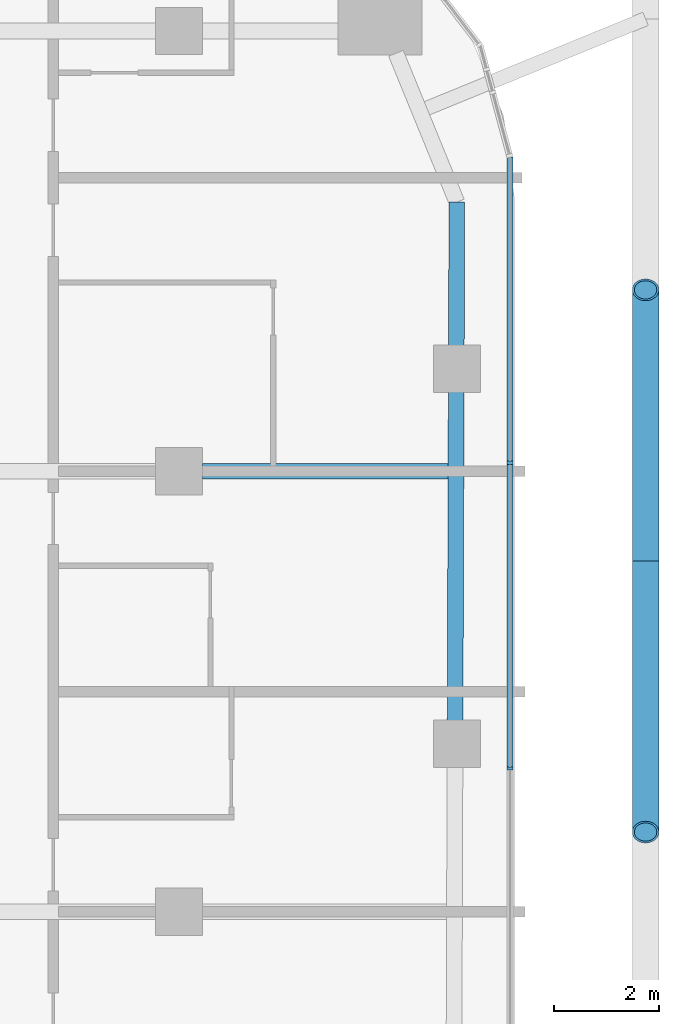
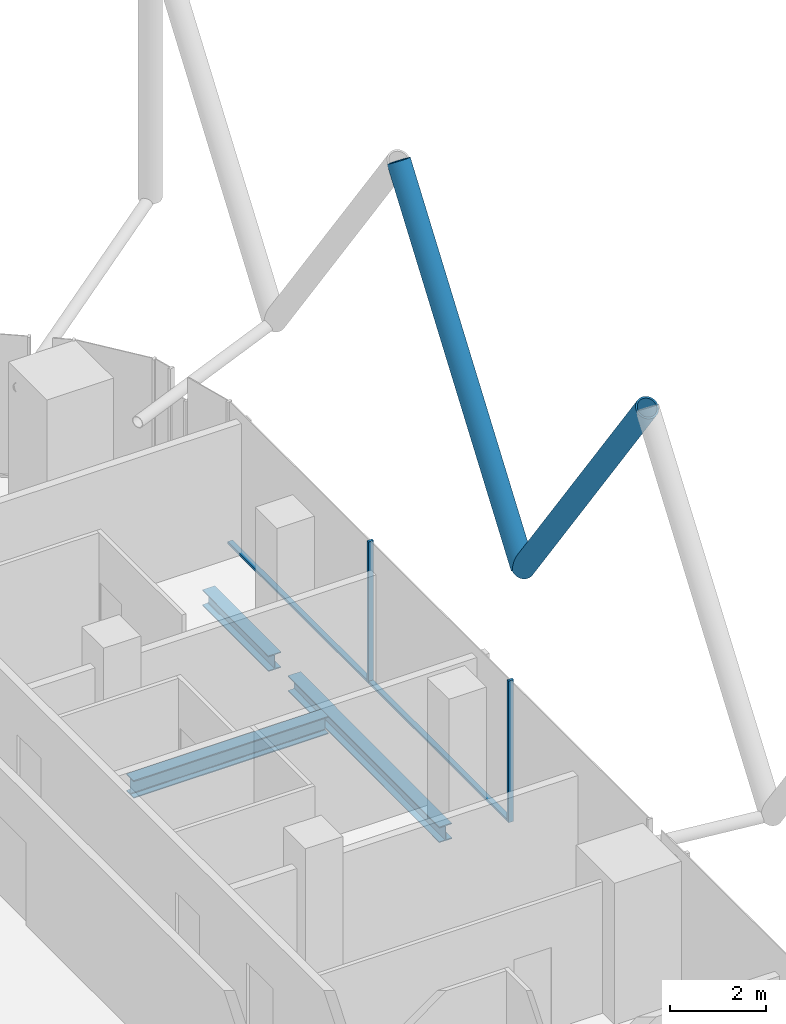
# One storey, part 13 of 36: 6 members, 3 beams, 1 element without a shape of its own.
"""IFC4 building model written with IfcOpenShell, lengths in metres."""

import ifcopenshell
import ifcopenshell.guid

model = None  # the IFC model being written
_history = None  # IfcOwnerHistory: only IFC2X3 demands one
_inside = {}  # id of a spatial element -> (the spatial element, [elements in it])
_under = {}  # id of a project, library or spatial element -> (it, [spatial elements below it])
_declared = {}  # id of a project -> (the project, [libraries it declares])
_typed = {}  # id of a type object -> (the type object, [elements of that type])
_made_of = {}  # id of a material, layer set ... -> (it, [elements and type objects made of it])


def new_model(schema):
    """Start an empty IFC model of exactly this schema.

    Asked for "IFC4X3", IfcOpenShell would pick the latest addendum, in which some entities
    have other attributes; the version numbers below select the first issue.
    IFC2X3 requires an IfcOwnerHistory on every rooted entity: one is made here for all.
    """
    global model, _history
    if schema == "IFC4X3":
        model = ifcopenshell.file(schema_version=(4, 3, 0, 0))
    else:
        model = ifcopenshell.file(schema=schema)
    _inside.clear()
    _under.clear()
    _declared.clear()
    _typed.clear()
    _made_of.clear()
    _history = None
    if model.schema == "IFC2X3":
        org = make("IfcOrganization", Name="unknown")
        user = make(
            "IfcPersonAndOrganization",
            ThePerson=make("IfcPerson", FamilyName="unknown"),
            TheOrganization=org,
        )
        app = make(
            "IfcApplication",
            ApplicationDeveloper=org,
            Version="unknown",
            ApplicationFullName="unknown",
            ApplicationIdentifier="unknown",
        )
        _history = make(
            "IfcOwnerHistory",
            OwningUser=user,
            OwningApplication=app,
            ChangeAction="ADDED",
            CreationDate=0,
        )
    return model


def make(cls, **values):
    """One entity of the class cls with the attributes given. An attribute that is None is left unset."""
    return model.create_entity(
        cls, **{name: value for name, value in values.items() if value is not None}
    )


def rooted(cls, **values):
    """An entity with a GlobalId (a new one), such as an element, a storey or a relation."""
    return make(cls, GlobalId=ifcopenshell.guid.new(), OwnerHistory=_history, **values)


def si_unit(unit_type, name, prefix=None):
    """IfcSIUnit, for example si_unit("LENGTHUNIT", "METRE", prefix="MILLI")."""
    return make("IfcSIUnit", UnitType=unit_type, Prefix=prefix, Name=name)


def assignment(units):
    """IfcUnitAssignment: the units of a project."""
    return None if units is None else make("IfcUnitAssignment", Units=units)


def point(xyz):
    """IfcCartesianPoint."""
    return None if xyz is None else make("IfcCartesianPoint", Coordinates=xyz)


def direction(xyz):
    """IfcDirection."""
    return None if xyz is None else make("IfcDirection", DirectionRatios=xyz)


def frame(location, z_axis=None, x_axis=None):
    """IfcAxis2Placement3D, a coordinate frame: its origin and axes. An axis left out is left unset."""
    return make(
        "IfcAxis2Placement3D",
        Location=point(location),
        Axis=direction(z_axis),
        RefDirection=direction(x_axis),
    )


def frame_2d(location, x_axis=None):
    """IfcAxis2Placement2D, a coordinate frame in the plane: its origin and x axis."""
    return make(
        "IfcAxis2Placement2D", Location=point(location), RefDirection=direction(x_axis)
    )


def origin():
    """The frame at (0, 0, 0) with its axes left unset."""
    return frame((0.0, 0.0, 0.0))


def origin_2d():
    """The frame at (0, 0) in the plane with its x axis left unset."""
    return frame_2d((0.0, 0.0))


def place(relative_to, where):
    """IfcLocalPlacement: puts the frame where relative to a parent placement (None: the world)."""
    return make(
        "IfcLocalPlacement", PlacementRelTo=relative_to, RelativePlacement=where
    )


def context(
    kind, dimensions, precision=None, world=None, true_north=None, identifier=None
):
    """IfcGeometricRepresentationContext, for example the 3D "Model" context."""
    return make(
        "IfcGeometricRepresentationContext",
        ContextIdentifier=identifier,
        ContextType=kind,
        CoordinateSpaceDimension=dimensions,
        Precision=precision,
        WorldCoordinateSystem=world,
        TrueNorth=true_north,
    )


def subcontext(parent, identifier, kind, view, scale=None):
    """IfcGeometricRepresentationSubContext, for example "Body" below "Model"."""
    return make(
        "IfcGeometricRepresentationSubContext",
        ContextIdentifier=identifier,
        ContextType=kind,
        ParentContext=parent,
        TargetScale=scale,
        TargetView=view,
    )


def project(units=None, contexts=None):
    """IfcProject with its units and contexts."""
    return rooted(
        "IfcProject",
        Name="project",
        RepresentationContexts=contexts,
        UnitsInContext=assignment(units),
    )


def spatial(cls, under=None, at=None, **own):
    """A site, building, storey or space (cls), placed at a placement, below another one or the project."""
    s = rooted(cls, ObjectPlacement=at, **own)
    if under is not None:
        _under.setdefault(under.id(), (under, []))[1].append(s)
    return s


def profile(cls, at=None, kind="AREA", **sizes):
    """A parametric profile (cls). Its sizes go by their IFC names, for example OverallWidth=200.0."""
    return make(cls, ProfileType=kind, Position=at, **sizes)


def rectangle(**sizes):
    """IfcRectangleProfileDef."""
    return profile("IfcRectangleProfileDef", **sizes)


def hollow_circle(**sizes):
    """IfcCircleHollowProfileDef."""
    return profile("IfcCircleHollowProfileDef", **sizes)


def i_section(**sizes):
    """IfcIShapeProfileDef."""
    return profile("IfcIShapeProfileDef", **sizes)


def extrude(swept, where, along, depth):
    """IfcExtrudedAreaSolid: the profile swept, set in the frame where, extruded along a direction by depth."""
    return make(
        "IfcExtrudedAreaSolid",
        SweptArea=swept,
        Position=where,
        ExtrudedDirection=direction(along),
        Depth=depth,
    )


def shape(context_of_items, identifier, shape_type, items):
    """IfcShapeRepresentation: the items that make up one representation, for example the "Body"."""
    return make(
        "IfcShapeRepresentation",
        ContextOfItems=context_of_items,
        RepresentationIdentifier=identifier,
        RepresentationType=shape_type,
        Items=items,
    )


def material(Name=None, Category=None):
    """IfcMaterial."""
    return make("IfcMaterial", Name=Name, Category=Category)


def layer(
    of_material, thickness, ventilated=None, Name=None, Category=None, Priority=None
):
    """IfcMaterialLayer: one layer of a wall or slab, of a material (None: an air gap)."""
    return make(
        "IfcMaterialLayer",
        Material=of_material,
        LayerThickness=thickness,
        IsVentilated=ventilated,
        Name=Name,
        Category=Category,
        Priority=Priority,
    )


def layer_set(layers, Name=None):
    """IfcMaterialLayerSet."""
    return make("IfcMaterialLayerSet", MaterialLayers=layers, LayerSetName=Name)


def material_profile(
    of_material, cross_section, Name=None, Category=None, Priority=None
):
    """IfcMaterialProfile: a cross section and its material."""
    return make(
        "IfcMaterialProfile",
        Name=Name,
        Material=of_material,
        Profile=cross_section,
        Priority=Priority,
        Category=Category,
    )


def profile_set(profiles, Name=None, composite=None):
    """IfcMaterialProfileSet."""
    return make(
        "IfcMaterialProfileSet",
        Name=Name,
        MaterialProfiles=profiles,
        CompositeProfile=composite,
    )


def made_of(thing, what):
    """Note that an element or type object is made of a material, layer set ...; save() writes the relation."""
    if what is not None:
        _made_of.setdefault(what.id(), (what, []))[1].append(thing)
    return thing


def type_object(cls, material=None, **own):
    """A type object (cls), such as IfcWallType, which elements share."""
    return made_of(rooted(cls, **own), material)


def element(
    cls,
    number,
    at=None,
    inside=None,
    cuts=None,
    type_object=None,
    material=None,
    context=None,
    identifier="Body",
    shape_type=None,
    held_by="IfcProductDefinitionShape",
    body=None,
    shapes=None,
    **own,
):
    """One element of the class cls, such as IfcWall. Its Tag is "e" and its number.

    at: its placement. inside: the storey or other place that contains it. cuts: it is an
    opening in that element (IfcRelVoidsElement). A single representation is given by context,
    identifier, shape_type and body (its items); several are given by shapes. held_by: the class
    of the entity that holds the representations. save() writes the other relations.
    """
    e = rooted(cls, Tag="e%d" % number, ObjectPlacement=at, **own)
    if body is not None:
        shapes = [shape(context, identifier, shape_type, body)]
    if shapes is not None:
        e.Representation = make(held_by, Representations=shapes)
    if inside is not None:
        _inside.setdefault(inside.id(), (inside, []))[1].append(e)
    if cuts is not None:
        rooted(
            "IfcRelVoidsElement", RelatingBuildingElement=cuts, RelatedOpeningElement=e
        )
    if type_object is not None:
        _typed.setdefault(type_object.id(), (type_object, []))[1].append(e)
    return made_of(e, material)


def aggregate(whole, parts):
    """IfcRelAggregates: a whole, such as a stair, and the parts it consists of."""
    return rooted("IfcRelAggregates", RelatingObject=whole, RelatedObjects=parts)


def save(model, path):
    """Write the relations noted so far, then the file.

    IfcRelAggregates (storeys below a building ...), IfcRelContainedInSpatialStructure (elements
    in a storey), IfcRelDefinesByType, IfcRelAssociatesMaterial and IfcRelDeclares: one each for
    every whole, place, type object, material and project.
    """
    for whole, parts in _under.values():
        aggregate(whole, parts)
    for where, things in _inside.values():
        rooted(
            "IfcRelContainedInSpatialStructure",
            RelatedElements=things,
            RelatingStructure=where,
        )
    for kind, things in _typed.values():
        rooted("IfcRelDefinesByType", RelatedObjects=things, RelatingType=kind)
    for what, things in _made_of.values():
        rooted("IfcRelAssociatesMaterial", RelatedObjects=things, RelatingMaterial=what)
    for by, libraries in _declared.values():
        rooted("IfcRelDeclares", RelatingContext=by, RelatedDefinitions=libraries)
    model.write(path)


model = new_model("IFC4")

# Units and contexts
model_context = context("Model", 3, precision=1e-05, world=origin(), true_north=direction((0.0, 1.0)))
body_context = subcontext(model_context, "Body", "Model", "MODEL_VIEW")
ifc_project = project(units=[si_unit("LENGTHUNIT", "METRE"), si_unit("AREAUNIT", "SQUARE_METRE"), si_unit("VOLUMEUNIT", "CUBIC_METRE"), si_unit("PLANEANGLEUNIT", "RADIAN"), si_unit("MASSUNIT", "GRAM", prefix="KILO")], contexts=[model_context])

# Site, building, storey
site_placement = place(None, origin())
site = spatial("IfcSite", under=ifc_project, at=site_placement, CompositionType="ELEMENT")
building_placement = place(site_placement, origin())
building = spatial("IfcBuilding", under=site, at=building_placement, Name="Marenta Gate Hotel Tower", CompositionType="ELEMENT")
storey_placement = place(building_placement, frame((0.0, 0.0, 158.89990234375)))
storey = spatial("IfcBuildingStorey", under=building, at=storey_placement, Name="L37", CompositionType="ELEMENT", Elevation=158.89990234375)

# Members
ifc_material_1 = material(Name="Steel S355J2W", Category="steel")
ifc_material_profile_1 = material_profile(ifc_material_1, hollow_circle(Radius=0.25390625, WallThickness=0.0400390625, at=origin_2d()), Name="CHS 508x40")
ifc_profile_set_1 = profile_set([ifc_material_profile_1], Name="Steel S355J2W")
member_type_1 = type_object("IfcMemberType", Name="Diagrid diagonal Z2 CHS 508x40", PredefinedType="BRACE", material=ifc_profile_set_1)
member_1_placement = place(storey_placement, frame((29.89990234375, 15.090087890625, 3.14013671875), z_axis=(0.0, 0.583260841117, 0.812284919975), x_axis=(-1.0, 0.0, 0.0)))
element("IfcMember", 1, at=member_1_placement, inside=storey, type_object=member_type_1, Name="L37-DG-3", PredefinedType="BRACE", context=body_context, shape_type="SweptSolid", body=[
    extrude(hollow_circle(Radius=0.25390625, WallThickness=0.0400390625, at=origin_2d()), origin(), (0.0, 0.0, 1.0), 8.86376953125),
])
member_2_placement = place(storey_placement, frame((29.89990234375, 15.090087890625, 3.14013671875), z_axis=(0.0, -0.583279014058, 0.812271870595), x_axis=(1.0, 0.0, 0.0)))
element("IfcMember", 2, at=member_2_placement, inside=storey, type_object=member_type_1, Name="L37-DG-4", PredefinedType="BRACE", context=body_context, shape_type="SweptSolid", body=[
    extrude(hollow_circle(Radius=0.25390625, WallThickness=0.0400390625, at=origin_2d()), origin(), (0.0, 0.0, 1.0), 8.864013671875),
])

# Beams
ifc_material_2 = material(Name="Steel S355", Category="steel")
ifc_material_profile_2 = material_profile(ifc_material_2, i_section(OverallWidth=0.300048828125, OverallDepth=0.39990234375, WebThickness=0.013427734375, FlangeThickness=0.02392578125, FilletRadius=0.027099609375, at=origin_2d()), Name="HEB 400")
ifc_profile_set_2 = profile_set([ifc_material_profile_2], Name="Steel S355")
beam_type_1 = type_object("IfcBeamType", Name="Edge beam HEB 400", PredefinedType="SPANDREL", material=ifc_profile_set_2)
beam_1_placement = place(storey_placement, frame((26.300048828125, 21.9345703125, -0.4599609375), z_axis=(-0.003351542298, -0.999994383566, 0.0), x_axis=(0.999994383566, -0.003351542298, 0.0)))
element("IfcBeam", 3, at=beam_1_placement, inside=storey, type_object=beam_type_1, Name="L37-EB-22", PredefinedType="SPANDREL", context=body_context, shape_type="SweptSolid", body=[
    extrude(i_section(OverallWidth=0.300048828125, OverallDepth=0.39990234375, WebThickness=0.013427734375, FlangeThickness=0.02392578125, FilletRadius=0.027099609375, at=origin_2d()), origin(), (0.0, 0.0, 1.0), 2.76806640625),
])
beam_2_placement = place(storey_placement, frame((26.2880859375, 18.346435546875, -0.4599609375), z_axis=(-0.00335374545, -0.99999437618, 0.0), x_axis=(0.99999437618, -0.00335374545, 0.0)))
element("IfcBeam", 4, at=beam_2_placement, inside=storey, type_object=beam_type_1, Name="L37-EB-23", PredefinedType="SPANDREL", context=body_context, shape_type="SweptSolid", body=[
    extrude(i_section(OverallWidth=0.300048828125, OverallDepth=0.39990234375, WebThickness=0.013427734375, FlangeThickness=0.02392578125, FilletRadius=0.027099609375, at=origin_2d()), origin(), (0.0, 0.0, 1.0), 6.333251953125),
])
ifc_material_3 = material(Name="Steel S355", Category="steel")
ifc_material_profile_3 = material_profile(ifc_material_3, i_section(OverallWidth=0.300048828125, OverallDepth=0.449951171875, WebThickness=0.013916015625, FlangeThickness=0.02587890625, FilletRadius=0.027099609375, at=origin_2d()), Name="HEB 450")
ifc_profile_set_3 = profile_set([ifc_material_profile_3], Name="Steel S355")
beam_type_2 = type_object("IfcBeamType", Name="Girder HEB 450", PredefinedType="BEAM", material=ifc_profile_set_3)
beam_3_placement = place(storey_placement, frame((21.449951171875, 16.800048828125, -0.48486328125), z_axis=(1.0, 0.0, 0.0), x_axis=(0.0, 1.0, 0.0)))
element("IfcBeam", 5, at=beam_3_placement, inside=storey, type_object=beam_type_2, Name="L37-GD-28", PredefinedType="BEAM", context=body_context, shape_type="SweptSolid", body=[
    extrude(i_section(OverallWidth=0.300048828125, OverallDepth=0.449951171875, WebThickness=0.013916015625, FlangeThickness=0.02587890625, FilletRadius=0.027099609375, at=origin_2d()), origin(), (0.0, 0.0, 1.0), 4.682861328125),
])

# Curtain wall, members
ifc_material_4 = material(Name="Tinted insulated glass in bronze anodised frame", Category="glass")
ifc_layer = layer(ifc_material_4, 0.1201171875)
ifc_layer_set = layer_set([ifc_layer], Name="Tinted insulated glass in bronze anodised frame")
curtain_wall_type = type_object("IfcCurtainWallType", Name="Tower unitised curtain wall CW1", PredefinedType="NOTDEFINED", material=ifc_layer_set)
curtain_wall_placement = place(storey_placement, origin())
curtain_wall = element("IfcCurtainWall", 6, at=curtain_wall_placement, inside=storey, type_object=curtain_wall_type, Name="CW1 run G35", PredefinedType="NOTDEFINED")
ifc_material_5 = material(Name="Bronze anodised aluminium", Category="aluminium")
ifc_material_profile_4 = material_profile(ifc_material_5, rectangle(XDim=0.1201171875, YDim=0.06005859375, at=origin_2d()), Name="Mullion CW1 60x120 bronze anodised aluminium")
ifc_profile_set_4 = profile_set([ifc_material_profile_4], Name="Bronze anodised aluminium")
member_type_2 = type_object("IfcMemberType", Name="Mullion CW1 60x120 bronze anodised aluminium", PredefinedType="MULLION", material=ifc_profile_set_4)
member_3_placement = place(storey_placement, frame((27.31396484375, 11.133056640625, 0.0), z_axis=(0.0, 0.0, 1.0), x_axis=(-1.0, 0.0, 0.0)))
member_3 = element("IfcMember", 7, at=member_3_placement, type_object=member_type_2, Name="CW1 mullion 2", PredefinedType="MULLION", context=body_context, shape_type="SweptSolid", body=[
    extrude(rectangle(XDim=0.1201171875, YDim=0.06005859375, at=origin_2d()), origin(), (0.0, 0.0, 1.0), 3.60009765625),
])
member_4_placement = place(storey_placement, frame((27.31396484375, 16.96240234375, 0.0), z_axis=(0.0, 0.0, 1.0), x_axis=(-1.0, 0.0, 0.0)))
member_4 = element("IfcMember", 8, at=member_4_placement, type_object=member_type_2, Name="CW1 mullion 3", PredefinedType="MULLION", context=body_context, shape_type="SweptSolid", body=[
    extrude(rectangle(XDim=0.1201171875, YDim=0.06005859375, at=origin_2d()), origin(), (0.0, 0.0, 1.0), 3.60009765625),
])
ifc_material_6 = material(Name="Bronze anodised aluminium", Category="aluminium")
ifc_material_profile_5 = material_profile(ifc_material_6, rectangle(XDim=0.1201171875, YDim=0.06005859375, at=origin_2d()), Name="Transom CW1 60x120 bronze anodised aluminium")
ifc_profile_set_5 = profile_set([ifc_material_profile_5], Name="Bronze anodised aluminium")
member_type_3 = type_object("IfcMemberType", Name="Transom CW1 60x120 bronze anodised aluminium", PredefinedType="USERDEFINED", material=ifc_profile_set_5)
member_5_placement = place(storey_placement, frame((27.31396484375, 11.1630859375, 0.030029296875), z_axis=(0.0, 1.0, 0.0), x_axis=(-1.0, 0.0, 0.0)))
member_5 = element("IfcMember", 9, at=member_5_placement, type_object=member_type_3, Name="CW1 transom 2.1", ObjectType="TRANSOM", PredefinedType="USERDEFINED", context=body_context, shape_type="SweptSolid", body=[
    extrude(rectangle(XDim=0.1201171875, YDim=0.06005859375, at=origin_2d()), origin(), (0.0, 0.0, 1.0), 5.76953125),
])
member_6_placement = place(storey_placement, frame((27.31396484375, 16.992431640625, 0.030029296875), z_axis=(0.0, 1.0, 0.0), x_axis=(-1.0, 0.0, 0.0)))
member_6 = element("IfcMember", 10, at=member_6_placement, type_object=member_type_3, Name="CW1 transom 3.1", ObjectType="TRANSOM", PredefinedType="USERDEFINED", context=body_context, shape_type="SweptSolid", body=[
    extrude(rectangle(XDim=0.1201171875, YDim=0.06005859375, at=origin_2d()), origin(), (0.0, 0.0, 1.0), 5.799560546875),
])
aggregate(curtain_wall, [member_3, member_4, member_5, member_6])

save(model, "model.ifc")
